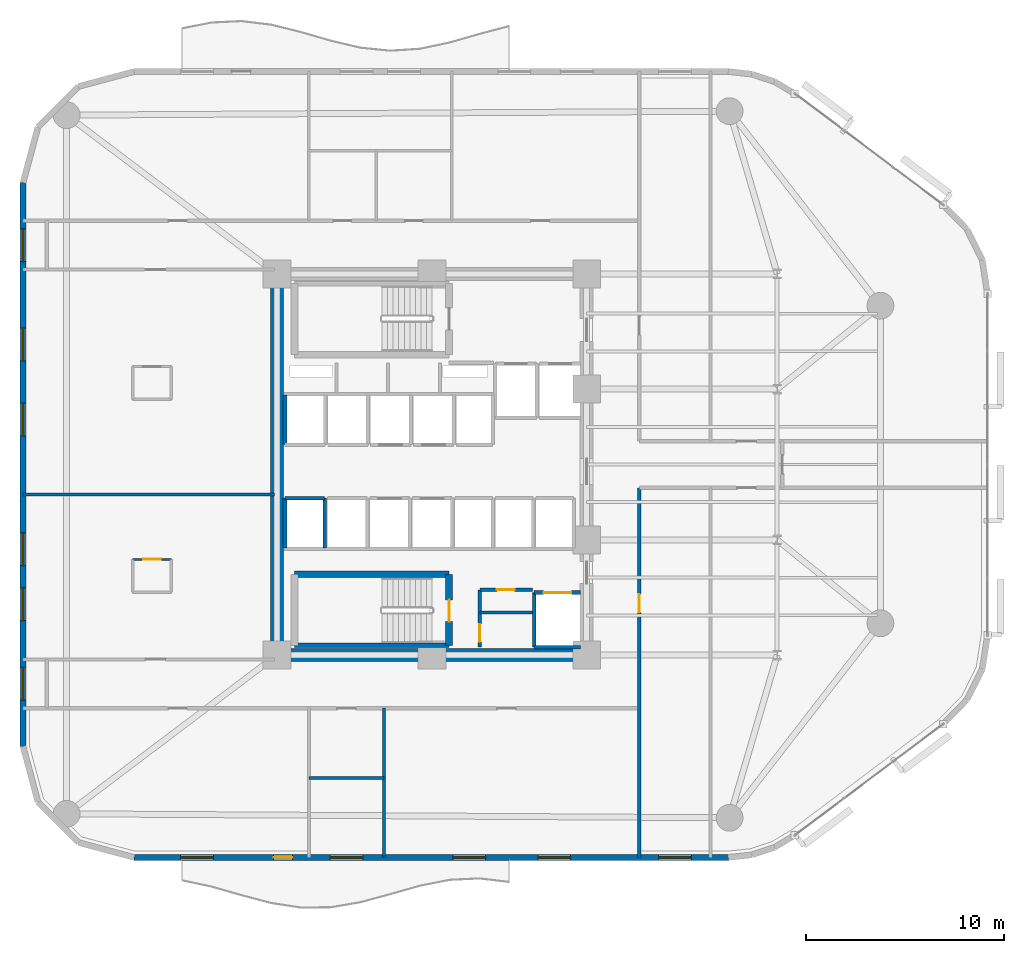
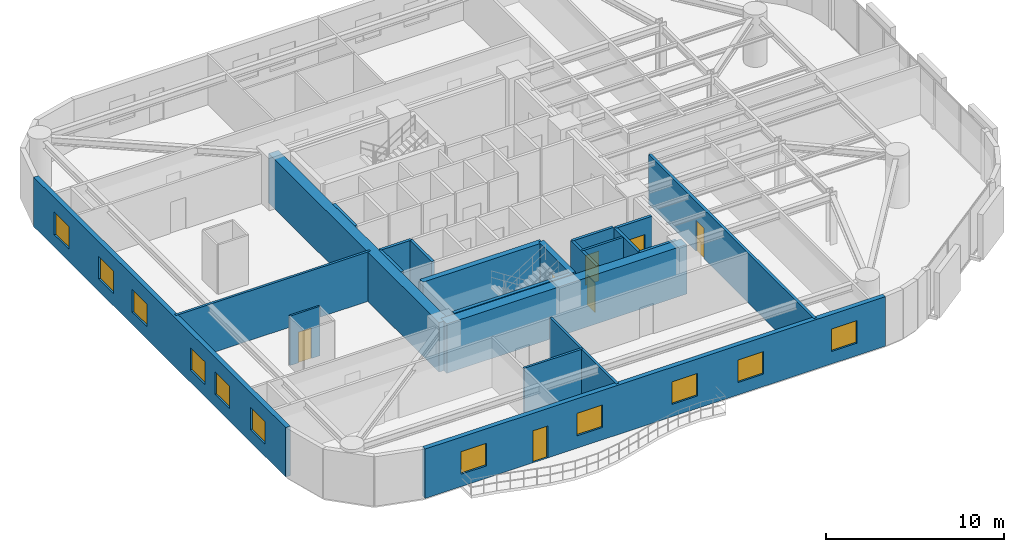
# One storey, part 10 of 15: 22 walls, 11 windows, 7 doors, 18 openings.
"""IFC4 building model written with IfcOpenShell, lengths in metres."""

from ifc_helpers import new_model, si_unit, direction, frame, frame_2d, origin, place, context, subcontext, project, spatial, rectangle, extrude, material, layer, layer_set, type_object, element, fill, save


model = new_model("IFC4")

# Units and contexts
model_context = context("Model", 3, precision=1e-05, world=origin(), true_north=direction((0.0, 1.0)))
body_context = subcontext(model_context, "Body", "Model", "MODEL_VIEW")
ifc_project = project(units=[si_unit("LENGTHUNIT", "METRE"), si_unit("AREAUNIT", "SQUARE_METRE"), si_unit("VOLUMEUNIT", "CUBIC_METRE"), si_unit("PLANEANGLEUNIT", "RADIAN"), si_unit("MASSUNIT", "GRAM", prefix="KILO")], contexts=[model_context])

# Site, building, storey
site_placement = place(None, origin())
site = spatial("IfcSite", under=ifc_project, at=site_placement, CompositionType="ELEMENT")
building_placement = place(site_placement, origin())
building = spatial("IfcBuilding", under=site, at=building_placement, Name="An Khanh Terracotta Commons", CompositionType="ELEMENT")
storey_placement = place(building_placement, frame((0.0, 0.0, 86.300048828125)))
storey = spatial("IfcBuildingStorey", under=building, at=storey_placement, Name="L22", CompositionType="ELEMENT", Elevation=86.300048828125)

# Walls
ifc_material_1 = material(Name="Concrete C60/75", Category="concrete")
ifc_layer_1 = layer(ifc_material_1, 0.64990234375, Name="Concrete C60/75")
ifc_layer_set_1 = layer_set([ifc_layer_1], Name="Concrete C60/75")
wall_type_1 = type_object("IfcWallType", Name="WALL-CORE-650", PredefinedType="SHEAR", material=ifc_layer_set_1)
wall_1_placement = place(storey_placement, frame((21.60009765625, 14.39990234375, 0.0), z_axis=(0.0, 0.0, 1.0), x_axis=(0.0, 1.0, 0.0)))
element("IfcWall", 1, at=wall_1_placement, inside=storey, type_object=wall_type_1, Name="L22 Core Wall CWALL-L22-W", PredefinedType="SHEAR", context=body_context, shape_type="SweptSolid", body=[
    extrude(rectangle(XDim=19.2001953125, YDim=0.64990234375, at=frame_2d((9.60009765625, 0.0))), origin(), (0.0, 0.0, 1.0), 3.39990234375),
])
wall_2_placement = place(storey_placement, frame((37.199951171875, 14.39990234375, 0.0), z_axis=(0.0, 0.0, 1.0), x_axis=(-1.0, 0.0, 0.0)))
element("IfcWall", 2, at=wall_2_placement, inside=storey, type_object=wall_type_1, Name="L22 Core Wall CWALL-L22-S", PredefinedType="SHEAR", context=body_context, shape_type="SweptSolid", body=[
    extrude(rectangle(XDim=15.599853515625, YDim=0.64990234375, at=frame_2d((7.7998046875, 0.0))), origin(), (0.0, 0.0, 1.0), 3.39990234375),
])

# Wall, opening, door
ifc_material_2 = material(Name="Fire-Rated Gypsum Board on Steel Stud", Category="steel")
ifc_layer_2 = layer(ifc_material_2, 0.179931640625, Name="Fire-Rated Gypsum Board on Steel Stud")
ifc_layer_set_2 = layer_set([ifc_layer_2], Name="Fire-Rated Gypsum Board on Steel Stud")
wall_type_2 = type_object("IfcWallType", Name="WALL-CORR-180", PredefinedType="PARTITIONING", material=ifc_layer_set_2)
wall_3_placement = place(storey_placement, frame((31.820068359375, 17.679931640625, 0.0), z_axis=(0.0, 0.0, 1.0), x_axis=(1.0, 0.0, 0.0)))
wall_3 = element("IfcWall", 3, at=wall_3_placement, inside=storey, type_object=wall_type_2, Name="L22 Core Wall SSVCW-L22-N", PredefinedType="PARTITIONING", context=body_context, shape_type="SweptSolid", body=[
    extrude(rectangle(XDim=2.659912109375, YDim=0.179931640625, at=frame_2d((1.330078125, 0.0))), origin(), (0.0, 0.0, 1.0), 3.39990234375),
])
opening_1_placement = place(wall_3_placement, frame((0.85009765625, 0.0, 0.0)))
opening_1 = element("IfcOpeningElement", 4, at=opening_1_placement, cuts=wall_3, Name="Opening D-SV", PredefinedType="OPENING", context=body_context, shape_type="SweptSolid", body=[
    extrude(rectangle(XDim=0.89990234375, YDim=2.050048828125, at=frame_2d((0.449951171875, 1.02490234375))), frame((0.0, 0.099853515625, 0.0), z_axis=(0.0, -1.0, 0.0), x_axis=(1.0, 0.0, 0.0)), (0.0, 0.0, 1.0), 0.199951171875),
])
ifc_material_3 = material(Name="Fire-Rated Powder-Coated Steel Door", Category="steel")
door_type_1 = type_object("IfcDoorType", Name="DOOR-SERV-900", OperationType="NOTDEFINED", PredefinedType="DOOR", material=ifc_material_3)
door_1_placement = place(opening_1_placement, origin())
door_1 = element("IfcDoor", 5, at=door_1_placement, inside=storey, type_object=door_type_1, Name="L22 Core Cleaner Store Door", OperationType="SINGLE_SWING_LEFT", OverallHeight=2.050048828125, OverallWidth=0.89990234375, PredefinedType="DOOR", context=body_context, shape_type="SweptSolid", body=[
    extrude(rectangle(XDim=0.89990234375, YDim=2.050048828125, at=frame_2d((0.449951171875, 1.02490234375))), frame((0.0, 0.02490234375, 0.0), z_axis=(0.0, -1.0, 0.0), x_axis=(1.0, 0.0, 0.0)), (0.0, 0.0, 1.0), 0.050048828125),
])
fill(opening_1, door_1)

wall_4_placement = place(storey_placement, frame((31.820068359375, 14.800048828125, 0.0), z_axis=(0.0, 0.0, 1.0), x_axis=(0.0, 1.0, 0.0)))
wall_4 = element("IfcWall", 6, at=wall_4_placement, inside=storey, type_object=wall_type_2, Name="L22 Core Wall SSVCW-L22-W", PredefinedType="PARTITIONING", context=body_context, shape_type="SweptSolid", body=[
    extrude(rectangle(XDim=2.8798828125, YDim=0.179931640625, at=frame_2d((1.43994140625, 0.0))), origin(), (0.0, 0.0, 1.0), 3.39990234375),
])
opening_2_placement = place(wall_4_placement, frame((0.260009765625, 0.0, 0.0)))
opening_2 = element("IfcOpeningElement", 7, at=opening_2_placement, cuts=wall_4, Name="Opening D-SV", PredefinedType="OPENING", context=body_context, shape_type="SweptSolid", body=[
    extrude(rectangle(XDim=0.89990234375, YDim=2.050048828125, at=frame_2d((0.449951171875, 1.02490234375))), frame((0.0, 0.099853515625, 0.0), z_axis=(0.0, -1.0, 0.0), x_axis=(1.0, 0.0, 0.0)), (0.0, 0.0, 1.0), 0.199951171875),
])
door_2_placement = place(opening_2_placement, origin())
door_2 = element("IfcDoor", 8, at=door_2_placement, inside=storey, type_object=door_type_1, Name="L22 Telecoms BMS Cupboard Door", OperationType="SINGLE_SWING_RIGHT", OverallHeight=2.050048828125, OverallWidth=0.89990234375, PredefinedType="DOOR", context=body_context, shape_type="SweptSolid", body=[
    extrude(rectangle(XDim=0.89990234375, YDim=2.050048828125, at=frame_2d((0.449951171875, 1.02490234375))), frame((0.0, 0.02490234375, 0.0), z_axis=(0.0, -1.0, 0.0), x_axis=(1.0, 0.0, 0.0)), (0.0, 0.0, 1.0), 0.050048828125),
])
fill(opening_2, door_2)

wall_5_placement = place(storey_placement, frame((34.550048828125, 17.550048828125, 0.0), z_axis=(0.0, 0.0, 1.0), x_axis=(1.0, 0.0, 0.0)))
wall_5 = element("IfcWall", 9, at=wall_5_placement, inside=storey, type_object=wall_type_2, Name="L22 Core Wall LSH-L22-SVL-01-N", PredefinedType="PARTITIONING", context=body_context, shape_type="SweptSolid", body=[
    extrude(rectangle(XDim=2.349853515625, YDim=0.179931640625, at=frame_2d((1.1748046875, 0.0))), origin(), (0.0, 0.0, 1.0), 3.39990234375),
])
opening_3_placement = place(wall_5_placement, frame((0.47509765625, 0.0, 0.0)))
opening_3 = element("IfcOpeningElement", 10, at=opening_3_placement, cuts=wall_5, Name="Opening LD-SVL-01-L22", PredefinedType="OPENING", context=body_context, shape_type="SweptSolid", body=[
    extrude(rectangle(XDim=1.39990234375, YDim=2.300048828125, at=frame_2d((0.699951171875, 1.14990234375))), frame((0.0, 0.099853515625, 0.0), z_axis=(0.0, -1.0, 0.0), x_axis=(1.0, 0.0, 0.0)), (0.0, 0.0, 1.0), 0.199951171875),
])
ifc_material_4 = material(Name="Heavy-Duty Stainless Steel Goods Landing Door", Category="steel")
door_type_2 = type_object("IfcDoorType", Name="DOOR-LD-SVL-1400", OperationType="NOTDEFINED", PredefinedType="DOOR", material=ifc_material_4)
door_3_placement = place(opening_3_placement, origin())
door_3 = element("IfcDoor", 11, at=door_3_placement, inside=storey, type_object=door_type_2, Name="L22 Lift SVL-01 Sliding Landing Door", OperationType="DOUBLE_DOOR_SLIDING", OverallHeight=2.300048828125, OverallWidth=1.39990234375, PredefinedType="DOOR", context=body_context, shape_type="SweptSolid", body=[
    extrude(rectangle(XDim=1.39990234375, YDim=2.300048828125, at=frame_2d((0.699951171875, 1.14990234375))), frame((0.0, 0.02490234375, 0.0), z_axis=(0.0, -1.0, 0.0), x_axis=(1.0, 0.0, 0.0)), (0.0, 0.0, 1.0), 0.050048828125),
])
fill(opening_3, door_3)

# Walls
wall_6_placement = place(storey_placement, frame((36.89990234375, 14.800048828125, 0.0), z_axis=(0.0, 0.0, 1.0), x_axis=(-1.0, 0.0, 0.0)))
element("IfcWall", 12, at=wall_6_placement, inside=storey, type_object=wall_type_2, Name="L22 Core Wall LSH-L22-SVL-01-S", PredefinedType="PARTITIONING", context=body_context, shape_type="SweptSolid", body=[
    extrude(rectangle(XDim=2.349853515625, YDim=0.179931640625, at=frame_2d((1.1748046875, 0.0))), origin(), (0.0, 0.0, 1.0), 3.39990234375),
])
wall_7_placement = place(storey_placement, frame((34.550048828125, 17.550048828125, 0.0), z_axis=(0.0, 0.0, 1.0), x_axis=(0.0, -1.0, 0.0)))
element("IfcWall", 13, at=wall_7_placement, inside=storey, type_object=wall_type_2, Name="L22 Core Wall LSH-L22-SVL-01-W", PredefinedType="PARTITIONING", context=body_context, shape_type="SweptSolid", body=[
    extrude(rectangle(XDim=2.75, YDim=0.179931640625, at=frame_2d((1.375, 0.0))), origin(), (0.0, 0.0, 1.0), 3.39990234375),
])
wall_8_placement = place(storey_placement, frame((22.0, 27.5, 0.0), z_axis=(0.0, 0.0, 1.0), x_axis=(0.0, -1.0, 0.0)))
element("IfcWall", 14, at=wall_8_placement, inside=storey, type_object=wall_type_2, Name="L22 Core Wall LSH-L22-PL-L1-W", PredefinedType="PARTITIONING", context=body_context, shape_type="SweptSolid", body=[
    extrude(rectangle(XDim=2.5, YDim=0.179931640625, at=frame_2d((1.25, 0.0))), origin(), (0.0, 0.0, 1.0), 3.39990234375),
])
wall_9_placement = place(storey_placement, frame((22.0, 22.300048828125, 0.0), z_axis=(0.0, 0.0, 1.0), x_axis=(1.0, 0.0, 0.0)))
element("IfcWall", 15, at=wall_9_placement, inside=storey, type_object=wall_type_2, Name="L22 Core Wall LSH-L22-PL-L3-N", PredefinedType="PARTITIONING", context=body_context, shape_type="SweptSolid", body=[
    extrude(rectangle(XDim=2.0, YDim=0.179931640625, at=frame_2d((1.0, 0.0))), origin(), (0.0, 0.0, 1.0), 3.39990234375),
])
for number, where, z_axis, x_axis, name in (
    (16, (24.0, 19.800048828125, 0.0), (0.0, 0.0, 1.0), (0.0, 1.0, 0.0), "L22 Core Wall LSH-L22-PL-L3-E"),
    (17, (22.0, 22.300048828125, 0.0), (0.0, 0.0, 1.0), (0.0, -1.0, 0.0), "L22 Core Wall LSH-L22-PL-L3-W"),
):
    element("IfcWall", number, at=place(storey_placement, frame(where, z_axis=z_axis, x_axis=x_axis)), inside=storey, type_object=wall_type_2, Name=name, PredefinedType="PARTITIONING", context=body_context, shape_type="SweptSolid", body=[
        extrude(rectangle(XDim=2.5, YDim=0.179931640625, at=frame_2d((1.25, 0.0))), origin(), (0.0, 0.0, 1.0), 3.39990234375),
    ])

# Wall, opening, door
wall_10_placement = place(storey_placement, frame((39.85009765625, 4.199951171875, 0.0), z_axis=(0.0, 0.0, 1.0), x_axis=(0.0, 1.0, 0.0)))
wall_10 = element("IfcWall", 18, at=wall_10_placement, inside=storey, type_object=wall_type_2, Name="L22 Interior Partition IW-L22-E017", PredefinedType="PARTITIONING", context=body_context, shape_type="SweptSolid", body=[
    extrude(rectangle(XDim=18.6201171875, YDim=0.179931640625, at=frame_2d((9.31005859375, 0.0))), origin(), (0.0, 0.0, 1.0), 3.39990234375),
])
opening_4_placement = place(wall_10_placement, frame((12.35009765625, 0.0, 0.0)))
opening_4 = element("IfcOpeningElement", 19, at=opening_4_placement, cuts=wall_10, Name="Opening D-RM", PredefinedType="OPENING", context=body_context, shape_type="SweptSolid", body=[
    extrude(rectangle(XDim=0.919921875, YDim=2.10009765625, at=frame_2d((0.4599609375, 1.050048828125))), frame((0.0, 0.099853515625, 0.0), z_axis=(0.0, -1.0, 0.0), x_axis=(1.0, 0.0, 0.0)), (0.0, 0.0, 1.0), 0.199951171875),
])
ifc_material_5 = material(Name="Engineered Hardwood Timber Leaf", Category="wood")
door_type_3 = type_object("IfcDoorType", Name="DOOR-INT-920", OperationType="NOTDEFINED", PredefinedType="DOOR", material=ifc_material_5)
door_4_placement = place(opening_4_placement, origin())
door_4 = element("IfcDoor", 20, at=door_4_placement, inside=storey, type_object=door_type_3, Name="L22 T5SW Games Lounge Door", OperationType="SINGLE_SWING_LEFT", OverallHeight=2.10009765625, OverallWidth=0.919921875, PredefinedType="DOOR", context=body_context, shape_type="SweptSolid", body=[
    extrude(rectangle(XDim=0.919921875, YDim=2.10009765625, at=frame_2d((0.4599609375, 1.050048828125))), frame((0.0, 0.02490234375, 0.0), z_axis=(0.0, -1.0, 0.0), x_axis=(1.0, 0.0, 0.0)), (0.0, 0.0, 1.0), 0.050048828125),
])
fill(opening_4, door_4)

# Wall, openings, door, windows
ifc_material_6 = material(Name="Precast concrete C40/50", Category="concrete")
ifc_layer_3 = layer(ifc_material_6, 0.300048828125, Name="Precast concrete C40/50")
ifc_layer_set_3 = layer_set([ifc_layer_3], Name="Precast concrete C40/50")
wall_type_3 = type_object("IfcWallType", Name="WALL-EXT-300", PredefinedType="SOLIDWALL", material=ifc_layer_set_3)
wall_11_placement = place(storey_placement, frame((14.39990234375, 4.199951171875, 0.0), z_axis=(0.0, 0.0, 1.0), x_axis=(1.0, 0.0, 0.0)))
wall_11 = element("IfcWall", 21, at=wall_11_placement, inside=storey, type_object=wall_type_3, Name="L22 Insulated Terracotta Exterior Wall 4", PredefinedType="SOLIDWALL", context=body_context, shape_type="SweptSolid", body=[
    extrude(rectangle(XDim=29.93310546875, YDim=0.300048828125, at=frame_2d((14.966552734375, 0.0))), origin(), (0.0, 0.0, 1.0), 3.39990234375),
])
opening_5_placement = place(wall_11_placement, frame((7.02490234375, 0.0, 0.0)))
opening_5 = element("IfcOpeningElement", 22, at=opening_5_placement, cuts=wall_11, Name="Opening D-BAL", PredefinedType="OPENING", context=body_context, shape_type="SweptSolid", body=[
    extrude(rectangle(XDim=0.949951171875, YDim=2.199951171875, at=frame_2d((0.47509765625, 1.10009765625))), frame((0.0, 0.159912109375, 0.0), z_axis=(0.0, -1.0, 0.0), x_axis=(1.0, 0.0, 0.0)), (0.0, 0.0, 1.0), 0.320068359375),
])
opening_6_placement = place(wall_11_placement, frame((2.342041015625, 0.0, 0.85009765625)))
opening_6 = element("IfcOpeningElement", 23, at=opening_6_placement, cuts=wall_11, Name="Opening W-02", PredefinedType="OPENING", context=body_context, shape_type="SweptSolid", body=[
    extrude(rectangle(XDim=1.64990234375, YDim=1.550048828125, at=frame_2d((0.824951171875, 0.77490234375))), frame((0.0, 0.159912109375, 0.0), z_axis=(0.0, -1.0, 0.0), x_axis=(1.0, 0.0, 0.0)), (0.0, 0.0, 1.0), 0.320068359375),
])
opening_7_placement = place(wall_11_placement, frame((9.875, 0.0, 0.85009765625)))
opening_7 = element("IfcOpeningElement", 24, at=opening_7_placement, cuts=wall_11, Name="Opening W-02", PredefinedType="OPENING", context=body_context, shape_type="SweptSolid", body=[
    extrude(rectangle(XDim=1.64990234375, YDim=1.550048828125, at=frame_2d((0.824951171875, 0.77490234375))), frame((0.0, 0.159912109375, 0.0), z_axis=(0.0, -1.0, 0.0), x_axis=(1.0, 0.0, 0.0)), (0.0, 0.0, 1.0), 0.320068359375),
])
opening_8_placement = place(wall_11_placement, frame((16.05810546875, 0.0, 0.85009765625)))
opening_8 = element("IfcOpeningElement", 25, at=opening_8_placement, cuts=wall_11, Name="Opening W-02", PredefinedType="OPENING", context=body_context, shape_type="SweptSolid", body=[
    extrude(rectangle(XDim=1.64990234375, YDim=1.550048828125, at=frame_2d((0.824951171875, 0.77490234375))), frame((0.0, 0.159912109375, 0.0), z_axis=(0.0, -1.0, 0.0), x_axis=(1.0, 0.0, 0.0)), (0.0, 0.0, 1.0), 0.320068359375),
])
opening_9_placement = place(wall_11_placement, frame((20.342041015625, 0.0, 0.85009765625)))
opening_9 = element("IfcOpeningElement", 26, at=opening_9_placement, cuts=wall_11, Name="Opening W-02", PredefinedType="OPENING", context=body_context, shape_type="SweptSolid", body=[
    extrude(rectangle(XDim=1.64990234375, YDim=1.550048828125, at=frame_2d((0.824951171875, 0.77490234375))), frame((0.0, 0.159912109375, 0.0), z_axis=(0.0, -1.0, 0.0), x_axis=(1.0, 0.0, 0.0)), (0.0, 0.0, 1.0), 0.320068359375),
])
opening_10_placement = place(wall_11_placement, frame((26.425048828125, 0.0, 0.85009765625)))
opening_10 = element("IfcOpeningElement", 27, at=opening_10_placement, cuts=wall_11, Name="Opening W-02", PredefinedType="OPENING", context=body_context, shape_type="SweptSolid", body=[
    extrude(rectangle(XDim=1.64990234375, YDim=1.550048828125, at=frame_2d((0.824951171875, 0.77490234375))), frame((0.0, 0.159912109375, 0.0), z_axis=(0.0, -1.0, 0.0), x_axis=(1.0, 0.0, 0.0)), (0.0, 0.0, 1.0), 0.320068359375),
])
ifc_material_7 = material(Name="Thermally Broken Aluminium and Low-E Glass", Category="aluminium")
door_type_4 = type_object("IfcDoorType", Name="DOOR-BALC-950", OperationType="NOTDEFINED", PredefinedType="DOOR", material=ifc_material_7)
door_5_placement = place(opening_5_placement, origin())
door_5 = element("IfcDoor", 28, at=door_5_placement, inside=storey, type_object=door_type_4, Name="L22 S Wave Balcony Glazed Door", OperationType="SINGLE_SWING_LEFT", OverallHeight=2.199951171875, OverallWidth=0.949951171875, PredefinedType="DOOR", context=body_context, shape_type="SweptSolid", body=[
    extrude(rectangle(XDim=0.949951171875, YDim=2.199951171875, at=frame_2d((0.47509765625, 1.10009765625))), frame((0.0, 0.02490234375, 0.0), z_axis=(0.0, -1.0, 0.0), x_axis=(1.0, 0.0, 0.0)), (0.0, 0.0, 1.0), 0.050048828125),
])
fill(opening_5, door_5)
window_type = type_object("IfcWindowType", Name="WIN-Z2-1650x1550", PartitioningType="DOUBLE_PANEL_VERTICAL", PredefinedType="WINDOW", material=ifc_material_7)
window_1_placement = place(opening_6_placement, origin())
window_1 = element("IfcWindow", 29, at=window_1_placement, inside=storey, type_object=window_type, Name="L22 Operable Casement Window 4.1", OverallHeight=1.550048828125, OverallWidth=1.64990234375, PartitioningType="DOUBLE_PANEL_VERTICAL", PredefinedType="WINDOW", context=body_context, shape_type="SweptSolid", body=[
    extrude(rectangle(XDim=1.64990234375, YDim=1.550048828125, at=frame_2d((0.824951171875, 0.77490234375))), frame((0.0, 0.030029296875, 0.0), z_axis=(0.0, -1.0, 0.0), x_axis=(1.0, 0.0, 0.0)), (0.0, 0.0, 1.0), 0.06005859375),
])
fill(opening_6, window_1)
window_2_placement = place(opening_7_placement, origin())
window_2 = element("IfcWindow", 30, at=window_2_placement, inside=storey, type_object=window_type, Name="L22 Operable Casement Window 4.2", OverallHeight=1.550048828125, OverallWidth=1.64990234375, PartitioningType="DOUBLE_PANEL_VERTICAL", PredefinedType="WINDOW", context=body_context, shape_type="SweptSolid", body=[
    extrude(rectangle(XDim=1.64990234375, YDim=1.550048828125, at=frame_2d((0.824951171875, 0.77490234375))), frame((0.0, 0.030029296875, 0.0), z_axis=(0.0, -1.0, 0.0), x_axis=(1.0, 0.0, 0.0)), (0.0, 0.0, 1.0), 0.06005859375),
])
fill(opening_7, window_2)
window_3_placement = place(opening_8_placement, origin())
window_3 = element("IfcWindow", 31, at=window_3_placement, inside=storey, type_object=window_type, Name="L22 Operable Casement Window 4.3", OverallHeight=1.550048828125, OverallWidth=1.64990234375, PartitioningType="DOUBLE_PANEL_VERTICAL", PredefinedType="WINDOW", context=body_context, shape_type="SweptSolid", body=[
    extrude(rectangle(XDim=1.64990234375, YDim=1.550048828125, at=frame_2d((0.824951171875, 0.77490234375))), frame((0.0, 0.030029296875, 0.0), z_axis=(0.0, -1.0, 0.0), x_axis=(1.0, 0.0, 0.0)), (0.0, 0.0, 1.0), 0.06005859375),
])
fill(opening_8, window_3)
window_4_placement = place(opening_9_placement, origin())
window_4 = element("IfcWindow", 32, at=window_4_placement, inside=storey, type_object=window_type, Name="L22 Operable Casement Window 4.4", OverallHeight=1.550048828125, OverallWidth=1.64990234375, PartitioningType="DOUBLE_PANEL_VERTICAL", PredefinedType="WINDOW", context=body_context, shape_type="SweptSolid", body=[
    extrude(rectangle(XDim=1.64990234375, YDim=1.550048828125, at=frame_2d((0.824951171875, 0.77490234375))), frame((0.0, 0.030029296875, 0.0), z_axis=(0.0, -1.0, 0.0), x_axis=(1.0, 0.0, 0.0)), (0.0, 0.0, 1.0), 0.06005859375),
])
fill(opening_9, window_4)
window_5_placement = place(opening_10_placement, origin())
window_5 = element("IfcWindow", 33, at=window_5_placement, inside=storey, type_object=window_type, Name="L22 Operable Casement Window 4.5", OverallHeight=1.550048828125, OverallWidth=1.64990234375, PartitioningType="DOUBLE_PANEL_VERTICAL", PredefinedType="WINDOW", context=body_context, shape_type="SweptSolid", body=[
    extrude(rectangle(XDim=1.64990234375, YDim=1.550048828125, at=frame_2d((0.824951171875, 0.77490234375))), frame((0.0, 0.030029296875, 0.0), z_axis=(0.0, -1.0, 0.0), x_axis=(1.0, 0.0, 0.0)), (0.0, 0.0, 1.0), 0.06005859375),
])
fill(opening_10, window_5)

# Wall, openings, windows
wall_12_placement = place(storey_placement, frame((8.800048828125, 38.199951171875, 0.0), z_axis=(0.0, 0.0, 1.0), x_axis=(0.0, -1.0, 0.0)))
wall_12 = element("IfcWall", 34, at=wall_12_placement, inside=storey, type_object=wall_type_3, Name="L22 Insulated Terracotta Exterior Wall 24", PredefinedType="SOLIDWALL", context=body_context, shape_type="SweptSolid", body=[
    extrude(rectangle(XDim=28.39990234375, YDim=0.300048828125, at=frame_2d((14.199951171875, 0.0))), origin(), (0.0, 0.0, 1.0), 3.39990234375),
])
opening_11_placement = place(wall_12_placement, frame((2.324951171875, 0.0, 0.85009765625)))
opening_11 = element("IfcOpeningElement", 35, at=opening_11_placement, cuts=wall_12, Name="Opening W-02", PredefinedType="OPENING", context=body_context, shape_type="SweptSolid", body=[
    extrude(rectangle(XDim=1.64990234375, YDim=1.550048828125, at=frame_2d((0.824951171875, 0.77490234375))), frame((0.0, 0.159912109375, 0.0), z_axis=(0.0, -1.0, 0.0), x_axis=(1.0, 0.0, 0.0)), (0.0, 0.0, 1.0), 0.320068359375),
])
opening_12_placement = place(wall_12_placement, frame((7.327880859375, 0.0, 0.85009765625)))
opening_12 = element("IfcOpeningElement", 36, at=opening_12_placement, cuts=wall_12, Name="Opening W-02", PredefinedType="OPENING", context=body_context, shape_type="SweptSolid", body=[
    extrude(rectangle(XDim=1.64990234375, YDim=1.550048828125, at=frame_2d((0.824951171875, 0.77490234375))), frame((0.0, 0.159912109375, 0.0), z_axis=(0.0, -1.0, 0.0), x_axis=(1.0, 0.0, 0.0)), (0.0, 0.0, 1.0), 0.320068359375),
])
opening_13_placement = place(wall_12_placement, frame((11.10205078125, 0.0, 0.85009765625)))
opening_13 = element("IfcOpeningElement", 37, at=opening_13_placement, cuts=wall_12, Name="Opening W-02", PredefinedType="OPENING", context=body_context, shape_type="SweptSolid", body=[
    extrude(rectangle(XDim=1.64990234375, YDim=1.550048828125, at=frame_2d((0.824951171875, 0.77490234375))), frame((0.0, 0.159912109375, 0.0), z_axis=(0.0, -1.0, 0.0), x_axis=(1.0, 0.0, 0.0)), (0.0, 0.0, 1.0), 0.320068359375),
])
opening_14_placement = place(wall_12_placement, frame((17.64794921875, 0.0, 0.85009765625)))
opening_14 = element("IfcOpeningElement", 38, at=opening_14_placement, cuts=wall_12, Name="Opening W-02", PredefinedType="OPENING", context=body_context, shape_type="SweptSolid", body=[
    extrude(rectangle(XDim=1.64990234375, YDim=1.550048828125, at=frame_2d((0.824951171875, 0.77490234375))), frame((0.0, 0.159912109375, 0.0), z_axis=(0.0, -1.0, 0.0), x_axis=(1.0, 0.0, 0.0)), (0.0, 0.0, 1.0), 0.320068359375),
])
opening_15_placement = place(wall_12_placement, frame((20.422119140625, 0.0, 0.85009765625)))
opening_15 = element("IfcOpeningElement", 39, at=opening_15_placement, cuts=wall_12, Name="Opening W-02", PredefinedType="OPENING", context=body_context, shape_type="SweptSolid", body=[
    extrude(rectangle(XDim=1.64990234375, YDim=1.550048828125, at=frame_2d((0.824951171875, 0.77490234375))), frame((0.0, 0.159912109375, 0.0), z_axis=(0.0, -1.0, 0.0), x_axis=(1.0, 0.0, 0.0)), (0.0, 0.0, 1.0), 0.320068359375),
])
opening_16_placement = place(wall_12_placement, frame((24.425048828125, 0.0, 0.85009765625)))
opening_16 = element("IfcOpeningElement", 40, at=opening_16_placement, cuts=wall_12, Name="Opening W-02", PredefinedType="OPENING", context=body_context, shape_type="SweptSolid", body=[
    extrude(rectangle(XDim=1.64990234375, YDim=1.550048828125, at=frame_2d((0.824951171875, 0.77490234375))), frame((0.0, 0.159912109375, 0.0), z_axis=(0.0, -1.0, 0.0), x_axis=(1.0, 0.0, 0.0)), (0.0, 0.0, 1.0), 0.320068359375),
])
window_6_placement = place(opening_11_placement, origin())
window_6 = element("IfcWindow", 41, at=window_6_placement, inside=storey, type_object=window_type, Name="L22 Operable Casement Window 24.1", OverallHeight=1.550048828125, OverallWidth=1.64990234375, PartitioningType="DOUBLE_PANEL_VERTICAL", PredefinedType="WINDOW", context=body_context, shape_type="SweptSolid", body=[
    extrude(rectangle(XDim=1.64990234375, YDim=1.550048828125, at=frame_2d((0.824951171875, 0.77490234375))), frame((0.0, 0.030029296875, 0.0), z_axis=(0.0, -1.0, 0.0), x_axis=(1.0, 0.0, 0.0)), (0.0, 0.0, 1.0), 0.06005859375),
])
fill(opening_11, window_6)
window_7_placement = place(opening_12_placement, origin())
window_7 = element("IfcWindow", 42, at=window_7_placement, inside=storey, type_object=window_type, Name="L22 Operable Casement Window 24.2", OverallHeight=1.550048828125, OverallWidth=1.64990234375, PartitioningType="DOUBLE_PANEL_VERTICAL", PredefinedType="WINDOW", context=body_context, shape_type="SweptSolid", body=[
    extrude(rectangle(XDim=1.64990234375, YDim=1.550048828125, at=frame_2d((0.824951171875, 0.77490234375))), frame((0.0, 0.030029296875, 0.0), z_axis=(0.0, -1.0, 0.0), x_axis=(1.0, 0.0, 0.0)), (0.0, 0.0, 1.0), 0.06005859375),
])
fill(opening_12, window_7)
window_8_placement = place(opening_13_placement, origin())
window_8 = element("IfcWindow", 43, at=window_8_placement, inside=storey, type_object=window_type, Name="L22 Operable Casement Window 24.3", OverallHeight=1.550048828125, OverallWidth=1.64990234375, PartitioningType="DOUBLE_PANEL_VERTICAL", PredefinedType="WINDOW", context=body_context, shape_type="SweptSolid", body=[
    extrude(rectangle(XDim=1.64990234375, YDim=1.550048828125, at=frame_2d((0.824951171875, 0.77490234375))), frame((0.0, 0.030029296875, 0.0), z_axis=(0.0, -1.0, 0.0), x_axis=(1.0, 0.0, 0.0)), (0.0, 0.0, 1.0), 0.06005859375),
])
fill(opening_13, window_8)
window_9_placement = place(opening_14_placement, origin())
window_9 = element("IfcWindow", 44, at=window_9_placement, inside=storey, type_object=window_type, Name="L22 Operable Casement Window 24.4", OverallHeight=1.550048828125, OverallWidth=1.64990234375, PartitioningType="DOUBLE_PANEL_VERTICAL", PredefinedType="WINDOW", context=body_context, shape_type="SweptSolid", body=[
    extrude(rectangle(XDim=1.64990234375, YDim=1.550048828125, at=frame_2d((0.824951171875, 0.77490234375))), frame((0.0, 0.030029296875, 0.0), z_axis=(0.0, -1.0, 0.0), x_axis=(1.0, 0.0, 0.0)), (0.0, 0.0, 1.0), 0.06005859375),
])
fill(opening_14, window_9)
window_10_placement = place(opening_15_placement, origin())
window_10 = element("IfcWindow", 45, at=window_10_placement, inside=storey, type_object=window_type, Name="L22 Operable Casement Window 24.5", OverallHeight=1.550048828125, OverallWidth=1.64990234375, PartitioningType="DOUBLE_PANEL_VERTICAL", PredefinedType="WINDOW", context=body_context, shape_type="SweptSolid", body=[
    extrude(rectangle(XDim=1.64990234375, YDim=1.550048828125, at=frame_2d((0.824951171875, 0.77490234375))), frame((0.0, 0.030029296875, 0.0), z_axis=(0.0, -1.0, 0.0), x_axis=(1.0, 0.0, 0.0)), (0.0, 0.0, 1.0), 0.06005859375),
])
fill(opening_15, window_10)
window_11_placement = place(opening_16_placement, origin())
window_11 = element("IfcWindow", 46, at=window_11_placement, inside=storey, type_object=window_type, Name="L22 Operable Casement Window 24.6", OverallHeight=1.550048828125, OverallWidth=1.64990234375, PartitioningType="DOUBLE_PANEL_VERTICAL", PredefinedType="WINDOW", context=body_context, shape_type="SweptSolid", body=[
    extrude(rectangle(XDim=1.64990234375, YDim=1.550048828125, at=frame_2d((0.824951171875, 0.77490234375))), frame((0.0, 0.030029296875, 0.0), z_axis=(0.0, -1.0, 0.0), x_axis=(1.0, 0.0, 0.0)), (0.0, 0.0, 1.0), 0.06005859375),
])
fill(opening_16, window_11)

# Walls
ifc_material_8 = material(Name="Acoustic Gypsum Board Partition")
ifc_layer_4 = layer(ifc_material_8, 0.14990234375, Name="Acoustic Gypsum Board Partition")
ifc_layer_set_4 = layer_set([ifc_layer_4], Name="Acoustic Gypsum Board Partition")
wall_type_4 = type_object("IfcWallType", Name="WALL-PART-150", PredefinedType="PARTITIONING", material=ifc_layer_set_4)
wall_13_placement = place(storey_placement, frame((31.820068359375, 16.550048828125, 0.0), z_axis=(0.0, 0.0, 1.0), x_axis=(1.0, 0.0, 0.0)))
element("IfcWall", 47, at=wall_13_placement, inside=storey, type_object=wall_type_4, Name="L22 Core Wall SSVCW-L22-M", PredefinedType="PARTITIONING", context=body_context, shape_type="SweptSolid", body=[
    extrude(rectangle(XDim=2.659912109375, YDim=0.14990234375, at=frame_2d((1.330078125, 0.0))), origin(), (0.0, 0.0, 1.0), 3.39990234375),
])
wall_14_placement = place(storey_placement, frame((23.199951171875, 8.199951171875, 0.0), z_axis=(0.0, 0.0, 1.0), x_axis=(1.0, 0.0, 0.0)))
element("IfcWall", 48, at=wall_14_placement, inside=storey, type_object=wall_type_4, Name="L22 Interior Partition IW-L22-E001", PredefinedType="PARTITIONING", context=body_context, shape_type="SweptSolid", body=[
    extrude(rectangle(XDim=3.800048828125, YDim=0.14990234375, at=frame_2d((1.89990234375, 0.0))), origin(), (0.0, 0.0, 1.0), 3.39990234375),
])
wall_15_placement = place(storey_placement, frame((8.800048828125, 22.5, 0.0), z_axis=(0.0, 0.0, 1.0), x_axis=(1.0, 0.0, 0.0)))
element("IfcWall", 49, at=wall_15_placement, inside=storey, type_object=wall_type_4, Name="L22 Interior Partition IW-L22-E004", PredefinedType="PARTITIONING", context=body_context, shape_type="SweptSolid", body=[
    extrude(rectangle(XDim=12.679931640625, YDim=0.14990234375, at=frame_2d((6.33984375, 0.0))), origin(), (0.0, 0.0, 1.0), 3.39990234375),
])
wall_16_placement = place(storey_placement, frame((27.0, 4.199951171875, 0.0), z_axis=(0.0, 0.0, 1.0), x_axis=(0.0, 1.0, 0.0)))
element("IfcWall", 50, at=wall_16_placement, inside=storey, type_object=wall_type_4, Name="L22 Interior Partition IW-L22-E015", PredefinedType="PARTITIONING", context=body_context, shape_type="SweptSolid", body=[
    extrude(rectangle(XDim=7.52001953125, YDim=0.14990234375, at=frame_2d((3.760009765625, 0.0))), origin(), (0.0, 0.0, 1.0), 3.39990234375),
])
ifc_material_9 = material(Name="Acoustic Double-Stud Gypsum and Mineral Wool")
ifc_layer_5 = layer(ifc_material_9, 0.219970703125, Name="Acoustic Double-Stud Gypsum and Mineral Wool")
ifc_layer_set_5 = layer_set([ifc_layer_5], Name="Acoustic Double-Stud Gypsum and Mineral Wool")
wall_type_5 = type_object("IfcWallType", Name="WALL-PARTY-220", PredefinedType="PARTITIONING", material=ifc_layer_set_5)
wall_17_placement = place(storey_placement, frame((22.47998046875, 14.889892578125, 0.0), z_axis=(0.0, 0.0, 1.0), x_axis=(1.0, 0.0, 0.0)))
element("IfcWall", 51, at=wall_17_placement, inside=storey, type_object=wall_type_5, Name="L22 Core Wall STW-L22-S-S", PredefinedType="PARTITIONING", context=body_context, shape_type="SweptSolid", body=[
    extrude(rectangle(XDim=7.7900390625, YDim=0.219970703125, at=frame_2d((3.89501953125, 0.0))), origin(), (0.0, 0.0, 1.0), 3.39990234375),
])
ifc_material_10 = material(Name="Concrete C50/60", Category="concrete")
ifc_layer_6 = layer(ifc_material_10, 0.35009765625, Name="Concrete C50/60")
ifc_layer_set_6 = layer_set([ifc_layer_6], Name="Concrete C50/60")
wall_type_6 = type_object("IfcWallType", Name="WALL-SHAFT-350", PredefinedType="SOLIDWALL", material=ifc_layer_set_6)
wall_18_placement = place(storey_placement, frame((22.47998046875, 18.469970703125, 0.0), z_axis=(0.0, 0.0, 1.0), x_axis=(1.0, 0.0, 0.0)))
element("IfcWall", 52, at=wall_18_placement, inside=storey, type_object=wall_type_6, Name="L22 Core Wall STW-L22-S-N", PredefinedType="SOLIDWALL", context=body_context, shape_type="SweptSolid", body=[
    extrude(rectangle(XDim=7.7900390625, YDim=0.35009765625, at=frame_2d((3.89501953125, 0.0))), origin(), (0.0, 0.0, 1.0), 3.39990234375),
])

# Wall, opening, door
wall_19_placement = place(storey_placement, frame((30.27001953125, 14.889892578125, 0.0), z_axis=(0.0, 0.0, 1.0), x_axis=(0.0, 1.0, 0.0)))
wall_19 = element("IfcWall", 53, at=wall_19_placement, inside=storey, type_object=wall_type_6, Name="L22 Core Wall STW-L22-S-E", PredefinedType="SOLIDWALL", context=body_context, shape_type="SweptSolid", body=[
    extrude(rectangle(XDim=3.580078125, YDim=0.35009765625, at=frame_2d((1.7900390625, 0.0))), origin(), (0.0, 0.0, 1.0), 3.39990234375),
])
opening_17_placement = place(wall_19_placement, frame((1.18994140625, 0.0, 0.0)))
opening_17 = element("IfcOpeningElement", 54, at=opening_17_placement, cuts=wall_19, Name="Opening D-ST", PredefinedType="OPENING", context=body_context, shape_type="SweptSolid", body=[
    extrude(rectangle(XDim=1.10009765625, YDim=2.14990234375, at=frame_2d((0.550048828125, 1.074951171875))), frame((0.0, 0.18505859375, 0.0), z_axis=(0.0, -1.0, 0.0), x_axis=(1.0, 0.0, 0.0)), (0.0, 0.0, 1.0), 0.3701171875),
])
ifc_material_11 = material(Name="Fire-Rated Steel Leaf and Frame", Category="steel")
door_type_5 = type_object("IfcDoorType", Name="DOOR-STAIR-1100", OperationType="NOTDEFINED", PredefinedType="DOOR", material=ifc_material_11)
door_6_placement = place(opening_17_placement, origin())
door_6 = element("IfcDoor", 55, at=door_6_placement, inside=storey, type_object=door_type_5, Name="L22 Stair ST-02 Fire Door", OperationType="SINGLE_SWING_RIGHT", OverallHeight=2.14990234375, OverallWidth=1.10009765625, PredefinedType="DOOR", context=body_context, shape_type="SweptSolid", body=[
    extrude(rectangle(XDim=1.10009765625, YDim=2.14990234375, at=frame_2d((0.550048828125, 1.074951171875))), frame((0.0, 0.02490234375, 0.0), z_axis=(0.0, -1.0, 0.0), x_axis=(1.0, 0.0, 0.0)), (0.0, 0.0, 1.0), 0.050048828125),
])
fill(opening_17, door_6)

ifc_material_12 = material(Name="Moisture-Resistant Cement Board Partition")
ifc_layer_7 = layer(ifc_material_12, 0.1201171875, Name="Moisture-Resistant Cement Board Partition")
ifc_layer_set_7 = layer_set([ifc_layer_7], Name="Moisture-Resistant Cement Board Partition")
wall_type_7 = type_object("IfcWallType", Name="WALL-WET-120", PredefinedType="PARTITIONING", material=ifc_layer_set_7)
wall_20_placement = place(storey_placement, frame((14.324951171875, 19.215087890625, 0.0), z_axis=(0.0, 0.0, 1.0), x_axis=(1.0, 0.0, 0.0)))
wall_20 = element("IfcWall", 56, at=wall_20_placement, inside=storey, type_object=wall_type_7, Name="L22 Interior Partition IW-L22-WW1-BN", PredefinedType="PARTITIONING", context=body_context, shape_type="SweptSolid", body=[
    extrude(rectangle(XDim=1.949951171875, YDim=0.1201171875, at=frame_2d((0.97509765625, 0.0))), origin(), (0.0, 0.0, 1.0), 3.39990234375),
])
opening_18_placement = place(wall_20_placement, frame((0.544921875, 0.0, 0.0)))
opening_18 = element("IfcOpeningElement", 57, at=opening_18_placement, cuts=wall_20, Name="Opening D-ENS", PredefinedType="OPENING", context=body_context, shape_type="SweptSolid", body=[
    extrude(rectangle(XDim=0.860107421875, YDim=2.10009765625, at=frame_2d((0.43017578125, 1.050048828125))), frame((0.0, 0.070068359375, 0.0), z_axis=(0.0, -1.0, 0.0), x_axis=(1.0, 0.0, 0.0)), (0.0, 0.0, 1.0), 0.14013671875),
])
ifc_material_13 = material(Name="Moisture-Resistant Hardwood Timber Leaf", Category="wood")
door_type_6 = type_object("IfcDoorType", Name="DOOR-BATH-860", OperationType="NOTDEFINED", PredefinedType="DOOR", material=ifc_material_13)
door_7_placement = place(opening_18_placement, origin())
door_7 = element("IfcDoor", 58, at=door_7_placement, inside=storey, type_object=door_type_6, Name="L22 Studio WW1 En-suite Door", OperationType="SINGLE_SWING_LEFT", OverallHeight=2.10009765625, OverallWidth=0.860107421875, PredefinedType="DOOR", context=body_context, shape_type="SweptSolid", body=[
    extrude(rectangle(XDim=0.860107421875, YDim=2.10009765625, at=frame_2d((0.43017578125, 1.050048828125))), frame((0.0, 0.02490234375, 0.0), z_axis=(0.0, -1.0, 0.0), x_axis=(1.0, 0.0, 0.0)), (0.0, 0.0, 1.0), 0.050048828125),
])
fill(opening_18, door_7)

save(model, "model.ifc")
